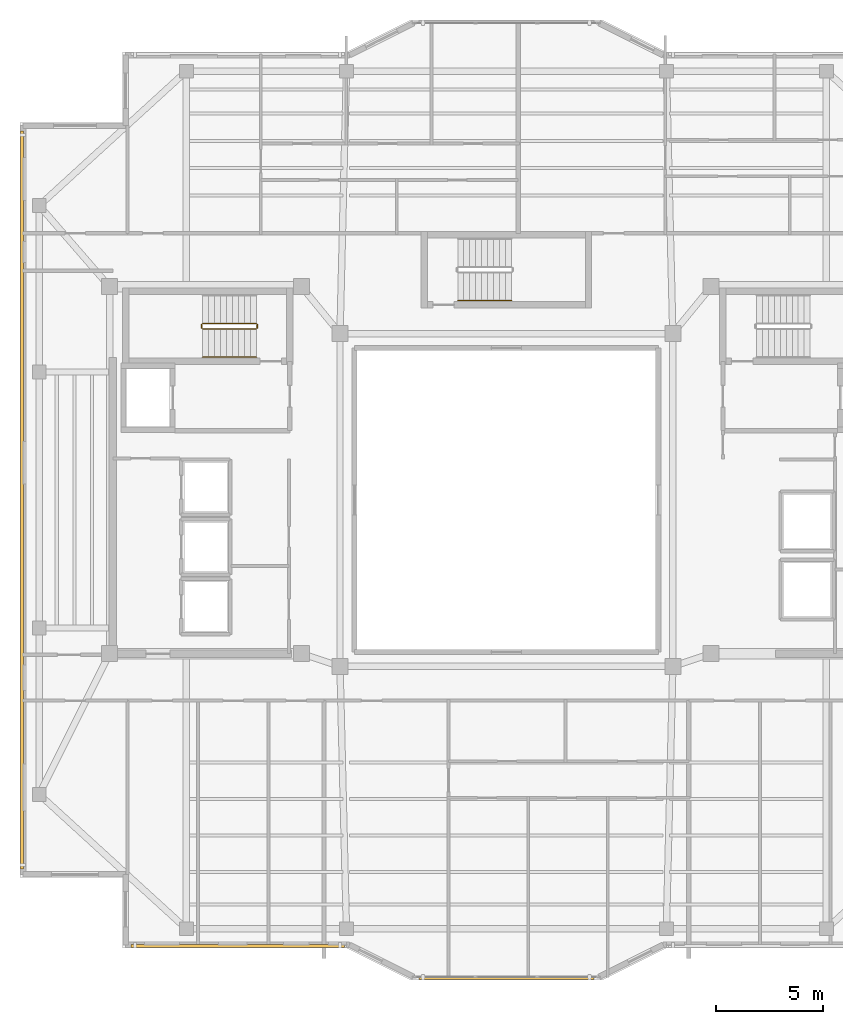
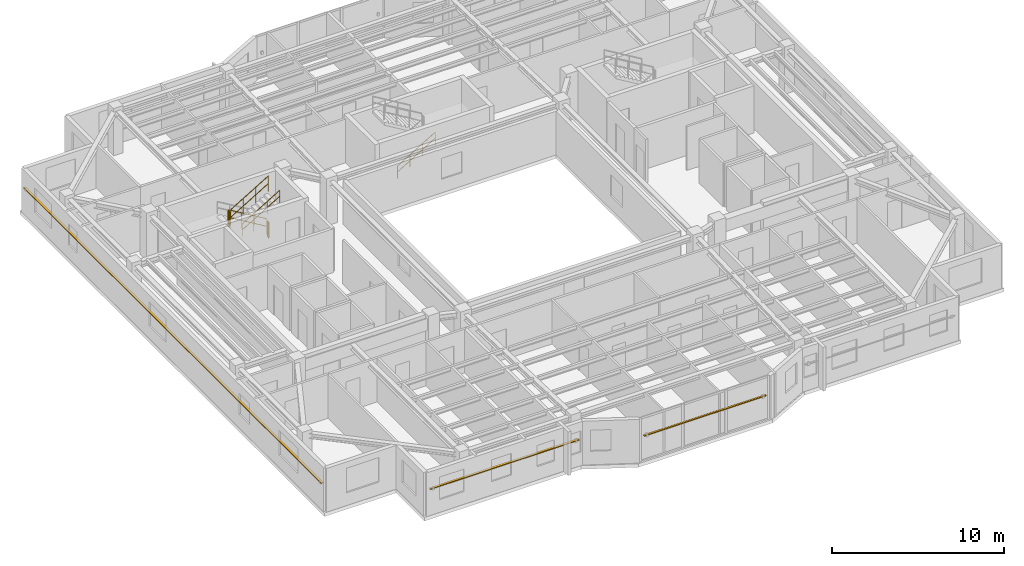
# One storey, part 11 of 13: 6 railings, 3 shading devices.
"""IFC4 building model written with IfcOpenShell, lengths in metres."""

from ifc_helpers import new_model, si_unit, direction, frame, origin, origin_2d, place, context, subcontext, project, spatial, rectangle, circle, extrude, material, material_profile, profile_set, type_object, element, save


model = new_model("IFC4")

# Units and contexts
model_context = context("Model", 3, precision=1e-05, world=origin(), true_north=direction((0.0, 1.0)))
body_context = subcontext(model_context, "Body", "Model", "MODEL_VIEW")
ifc_project = project(units=[si_unit("LENGTHUNIT", "METRE"), si_unit("AREAUNIT", "SQUARE_METRE"), si_unit("VOLUMEUNIT", "CUBIC_METRE"), si_unit("PLANEANGLEUNIT", "RADIAN"), si_unit("MASSUNIT", "GRAM", prefix="KILO")], contexts=[model_context])

# Site, building, storey
site_placement = place(None, origin())
site = spatial("IfcSite", under=ifc_project, at=site_placement, CompositionType="ELEMENT")
building_placement = place(site_placement, origin())
building = spatial("IfcBuilding", under=site, at=building_placement, Name="Tarnavaz Court Tower", CompositionType="ELEMENT")
storey_placement = place(building_placement, frame((0.0, 0.0, 251.550048828125)))
storey = spatial("IfcBuildingStorey", under=building, at=storey_placement, Name="L68", CompositionType="ELEMENT", Elevation=251.550048828125)

# Railings
ifc_material_1 = material(Name="Brushed Stainless Steel", Category="steel")
railing_type_1 = type_object("IfcRailingType", Name="RL-HANDRAIL-900", PredefinedType="HANDRAIL", material=ifc_material_1)
railing_1_placement = place(storey_placement, frame((-14.239990234375, 6.699951171875, 1.842529296875)))
element("IfcRailing", 1, at=railing_1_placement, inside=storey, type_object=railing_type_1, Name="L68 ST-W1 stair handrail 2", PredefinedType="HANDRAIL", context=body_context, shape_type="SweptSolid", body=[
    extrude(circle(Radius=0.02392578125, at=origin_2d()), frame((0.0, 0.0, 0.8759765625), z_axis=(0.858196387827, 0.0, 0.513321497621), x_axis=(0.0, 1.0, 0.0)), (0.0, 0.0, 1.0), 2.9365234375),
    extrude(circle(Radius=0.02392578125, at=origin_2d()), frame((0.0, 0.0, 0.449951171875), z_axis=(0.858196387827, 0.0, 0.513321497621), x_axis=(0.0, 1.0, 0.0)), (0.0, 0.0, 1.0), 2.9365234375),
    extrude(circle(Radius=0.02099609375, at=origin_2d()), origin(), (0.0, 0.0, 1.0), 0.851806640625),
    extrude(circle(Radius=0.02099609375, at=origin_2d()), frame((0.840087890625, 0.0, 0.50244140625)), (0.0, 0.0, 1.0), 0.851806640625),
    extrude(circle(Radius=0.02099609375, at=origin_2d()), frame((1.679931640625, 0.0, 1.0048828125)), (0.0, 0.0, 1.0), 0.851806640625),
    extrude(circle(Radius=0.02099609375, at=origin_2d()), frame((2.52001953125, 0.0, 1.50732421875)), (0.0, 0.0, 1.0), 0.851806640625),
])
railing_2_placement = place(storey_placement, frame((-2.280029296875, 9.35009765625, 0.16748046875)))
element("IfcRailing", 2, at=railing_2_placement, inside=storey, type_object=railing_type_1, Name="L68 ST-N1 stair handrail 1", PredefinedType="HANDRAIL", context=body_context, shape_type="SweptSolid", body=[
    extrude(circle(Radius=0.02392578125, at=origin_2d()), frame((0.0, 0.0, 0.8759765625), z_axis=(0.858159760407, 0.0, 0.513382728203), x_axis=(0.0, 1.0, 0.0)), (0.0, 0.0, 1.0), 2.9365234375),
    extrude(circle(Radius=0.02392578125, at=origin_2d()), frame((0.0, 0.0, 0.449951171875), z_axis=(0.858159760407, 0.0, 0.513382728203), x_axis=(0.0, 1.0, 0.0)), (0.0, 0.0, 1.0), 2.9365234375),
    extrude(circle(Radius=0.02099609375, at=origin_2d()), origin(), (0.0, 0.0, 1.0), 0.851806640625),
    extrude(circle(Radius=0.02099609375, at=origin_2d()), frame((0.840087890625, 0.0, 0.50244140625)), (0.0, 0.0, 1.0), 0.851806640625),
    extrude(circle(Radius=0.02099609375, at=origin_2d()), frame((1.679931640625, 0.0, 1.005126953125)), (0.0, 0.0, 1.0), 0.851806640625),
    extrude(circle(Radius=0.02099609375, at=origin_2d()), frame((2.52001953125, 0.0, 1.507568359375)), (0.0, 0.0, 1.0), 0.851806640625),
])
ifc_material_2 = material(Name="Galvanized Painted Tubular Steel", Category="steel")
railing_type_2 = type_object("IfcRailingType", Name="RL-STGUARD-1120", PredefinedType="GUARDRAIL", material=ifc_material_2)
railing_3_placement = place(storey_placement, frame((-11.719970703125, 8.27001953125, 0.16748046875)))
element("IfcRailing", 3, at=railing_3_placement, inside=storey, type_object=railing_type_2, Name="L68 ST-W1 stair guard 1", PredefinedType="GUARDRAIL", context=body_context, shape_type="SweptSolid", body=[
    extrude(circle(Radius=0.02392578125, at=origin_2d()), frame((0.0, 0.0, 1.09619140625), z_axis=(-0.858159760407, 0.0, 0.513382728203), x_axis=(0.0, -1.0, 0.0)), (0.0, 0.0, 1.0), 2.9365234375),
    extrude(circle(Radius=0.02392578125, at=origin_2d()), frame((0.0, 0.0, 0.56005859375), z_axis=(-0.858159760407, 0.0, 0.513382728203), x_axis=(0.0, -1.0, 0.0)), (0.0, 0.0, 1.0), 2.9365234375),
    extrude(circle(Radius=0.02099609375, at=origin_2d()), origin(), (0.0, 0.0, 1.0), 1.072021484375),
    extrude(circle(Radius=0.02099609375, at=origin_2d()), frame((-0.840087890625, 0.0, 0.50244140625)), (0.0, 0.0, 1.0), 1.072021484375),
    extrude(circle(Radius=0.02099609375, at=origin_2d()), frame((-1.679931640625, 0.0, 1.005126953125)), (0.0, 0.0, 1.0), 1.072021484375),
    extrude(circle(Radius=0.02099609375, at=origin_2d()), frame((-2.52001953125, 0.0, 1.507568359375)), (0.0, 0.0, 1.0), 1.072021484375),
])
railing_4_placement = place(storey_placement, frame((-14.2900390625, 8.219970703125, 1.675048828125)))
element("IfcRailing", 4, at=railing_4_placement, inside=storey, type_object=railing_type_2, Name="L68 ST-W1 stair guard 2", PredefinedType="GUARDRAIL", context=body_context, shape_type="SweptSolid", body=[
    extrude(circle(Radius=0.02392578125, at=origin_2d()), frame((0.0, 0.0, 1.09619140625), z_axis=(0.0, -1.0, 0.0), x_axis=(1.0, 0.0, 0.0)), (0.0, 0.0, 1.0), 0.14990234375),
    extrude(circle(Radius=0.02392578125, at=origin_2d()), frame((0.0, 0.0, 0.56005859375), z_axis=(0.0, -1.0, 0.0), x_axis=(1.0, 0.0, 0.0)), (0.0, 0.0, 1.0), 0.14990234375),
    extrude(circle(Radius=0.02099609375, at=origin_2d()), origin(), (0.0, 0.0, 1.0), 1.072021484375),
    extrude(circle(Radius=0.02099609375, at=origin_2d()), frame((0.0, -0.14990234375, 0.0)), (0.0, 0.0, 1.0), 1.072021484375),
])
railing_5_placement = place(storey_placement, frame((-14.239990234375, 8.02001953125, 1.842529296875)))
element("IfcRailing", 5, at=railing_5_placement, inside=storey, type_object=railing_type_2, Name="L68 ST-W1 stair guard 3", PredefinedType="GUARDRAIL", context=body_context, shape_type="SweptSolid", body=[
    extrude(circle(Radius=0.02392578125, at=origin_2d()), frame((0.0, 0.0, 1.09619140625), z_axis=(0.858196387827, 0.0, 0.513321497621), x_axis=(0.0, 1.0, 0.0)), (0.0, 0.0, 1.0), 2.9365234375),
    extrude(circle(Radius=0.02392578125, at=origin_2d()), frame((0.0, 0.0, 0.56005859375), z_axis=(0.858196387827, 0.0, 0.513321497621), x_axis=(0.0, 1.0, 0.0)), (0.0, 0.0, 1.0), 2.9365234375),
    extrude(circle(Radius=0.02099609375, at=origin_2d()), origin(), (0.0, 0.0, 1.0), 1.072021484375),
    extrude(circle(Radius=0.02099609375, at=origin_2d()), frame((0.840087890625, 0.0, 0.50244140625)), (0.0, 0.0, 1.0), 1.072021484375),
    extrude(circle(Radius=0.02099609375, at=origin_2d()), frame((1.679931640625, 0.0, 1.0048828125)), (0.0, 0.0, 1.0), 1.072021484375),
    extrude(circle(Radius=0.02099609375, at=origin_2d()), frame((2.52001953125, 0.0, 1.50732421875)), (0.0, 0.0, 1.0), 1.072021484375),
])
railing_6_placement = place(storey_placement, frame((-11.669921875, 8.219970703125, 0.0)))
element("IfcRailing", 6, at=railing_6_placement, inside=storey, type_object=railing_type_2, Name="L68 ST-W1 stair guard 4", PredefinedType="GUARDRAIL", context=body_context, shape_type="SweptSolid", body=[
    extrude(circle(Radius=0.02392578125, at=origin_2d()), frame((0.0, 0.0, 1.09619140625), z_axis=(0.0, -1.0, 0.0), x_axis=(1.0, 0.0, 0.0)), (0.0, 0.0, 1.0), 0.14990234375),
    extrude(circle(Radius=0.02392578125, at=origin_2d()), frame((0.0, 0.0, 0.56005859375), z_axis=(0.0, -1.0, 0.0), x_axis=(1.0, 0.0, 0.0)), (0.0, 0.0, 1.0), 0.14990234375),
    extrude(circle(Radius=0.02099609375, at=origin_2d()), origin(), (0.0, 0.0, 1.0), 1.072021484375),
    extrude(circle(Radius=0.02099609375, at=origin_2d()), frame((0.0, -0.14990234375, 0.0)), (0.0, 0.0, 1.0), 1.072021484375),
])

# Shading devices
ifc_material_3 = material(Name="Kiln-Fired Khorasan Terracotta Ceramic", Category="masonry")
ifc_material_profile_1 = material_profile(ifc_material_3, rectangle(XDim=0.1201171875, YDim=0.06005859375, at=origin_2d()), Name="TC BAGUETTE 120X60")
ifc_profile_set_1 = profile_set([ifc_material_profile_1], Name="Kiln-Fired Khorasan Terracotta Ceramic")
shading_device_type_1 = type_object("IfcShadingDeviceType", Name="SD-BAG-120", PredefinedType="USERDEFINED", material=ifc_profile_set_1)
shading_device_1_placement = place(storey_placement, frame((4.10009765625, -22.409912109375, 1.800048828125), z_axis=(-1.0, 0.0, 0.0), x_axis=(0.0, -1.0, 0.0)))
element("IfcShadingDevice", 7, at=shading_device_1_placement, inside=storey, type_object=shading_device_type_1, Name="L68 Terracotta Baguette Screen PBG17", ObjectType="BAGUETTE", PredefinedType="USERDEFINED", context=body_context, shape_type="SweptSolid", body=[
    extrude(rectangle(XDim=0.1201171875, YDim=0.06005859375, at=origin_2d()), origin(), (0.0, 0.0, 1.0), 8.2001953125),
])
ifc_material_profile_2 = material_profile(ifc_material_3, rectangle(XDim=0.14990234375, YDim=0.06494140625, at=origin_2d()), Name="TC BAGUETTE 150X65")
ifc_profile_set_2 = profile_set([ifc_material_profile_2], Name="Kiln-Fired Khorasan Terracotta Ceramic")
shading_device_type_2 = type_object("IfcShadingDeviceType", Name="SD-BAG-150", PredefinedType="USERDEFINED", material=ifc_profile_set_2)
shading_device_2_placement = place(storey_placement, frame((-22.7099609375, -17.300048828125, 1.849853515625), z_axis=(0.0, 1.0, 0.0), x_axis=(-1.0, 0.0, 0.0)))
element("IfcShadingDevice", 8, at=shading_device_2_placement, inside=storey, type_object=shading_device_type_2, Name="L68 Terracotta Baguette Screen FBG02", ObjectType="BAGUETTE", PredefinedType="USERDEFINED", context=body_context, shape_type="SweptSolid", body=[
    extrude(rectangle(XDim=0.14990234375, YDim=0.06494140625, at=origin_2d()), origin(), (0.0, 0.0, 1.0), 34.60009765625),
])
shading_device_3_placement = place(storey_placement, frame((-7.60009765625, -20.909912109375, 1.849853515625), z_axis=(-1.0, 0.0, 0.0), x_axis=(0.0, -1.0, 0.0)))
element("IfcShadingDevice", 9, at=shading_device_3_placement, inside=storey, type_object=shading_device_type_2, Name="L68 Terracotta Baguette Screen FBG19", ObjectType="BAGUETTE", PredefinedType="USERDEFINED", context=body_context, shape_type="SweptSolid", body=[
    extrude(rectangle(XDim=0.14990234375, YDim=0.06494140625, at=origin_2d()), origin(), (0.0, 0.0, 1.0), 10.0),
])

save(model, "model.ifc")
